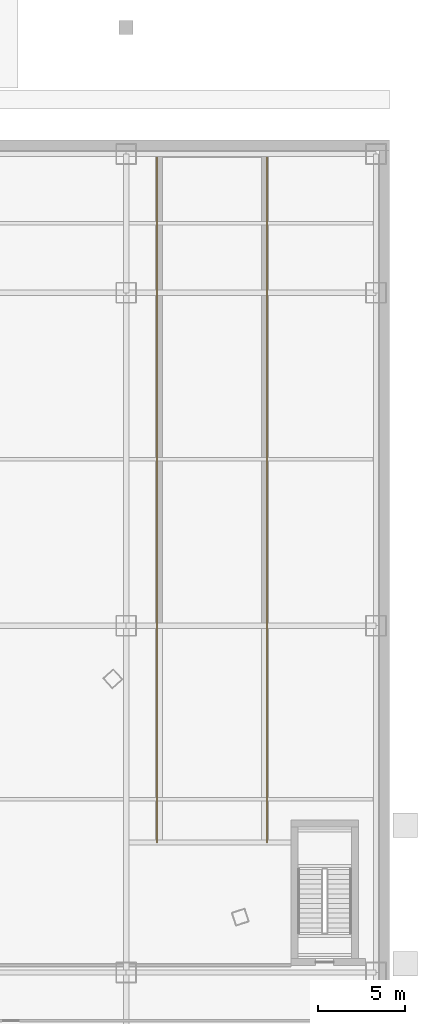
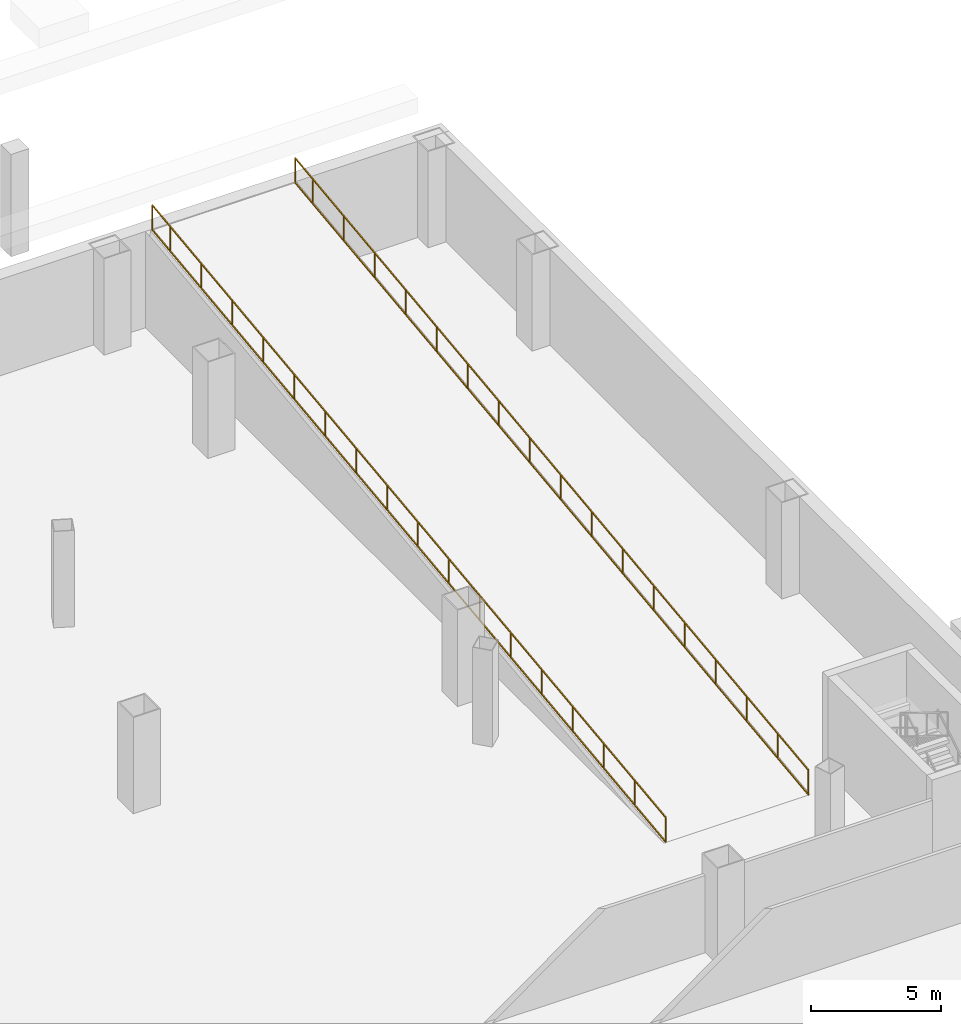
# One storey, part 16 of 16: 2 railings.
"""IFC4 building model written with IfcOpenShell, lengths in metres."""

from ifc_helpers import new_model, si_unit, direction, frame, origin, origin_2d, place, context, subcontext, project, spatial, rectangle, extrude, material, type_object, element, save


model = new_model("IFC4")

# Units and contexts
model_context = context("Model", 3, precision=1e-05, world=origin(), true_north=direction((0.0, 1.0)))
body_context = subcontext(model_context, "Body", "Model", "MODEL_VIEW")
ifc_project = project(units=[si_unit("LENGTHUNIT", "METRE"), si_unit("AREAUNIT", "SQUARE_METRE"), si_unit("VOLUMEUNIT", "CUBIC_METRE"), si_unit("PLANEANGLEUNIT", "RADIAN"), si_unit("MASSUNIT", "GRAM", prefix="KILO"), si_unit("THERMODYNAMICTEMPERATUREUNIT", "KELVIN"), si_unit("POWERUNIT", "WATT")], contexts=[model_context])

# Site, building, storey
site_placement = place(None, origin())
site = spatial("IfcSite", under=ifc_project, at=site_placement, CompositionType="ELEMENT")
building_placement = place(site_placement, origin())
building = spatial("IfcBuilding", under=site, at=building_placement, Name="Yunzhuo Pagoda Commons", CompositionType="ELEMENT")
storey_placement = place(building_placement, frame((0.0, 0.0, -4.800048828125)))
storey = spatial("IfcBuildingStorey", under=building, at=storey_placement, Name="B01", CompositionType="ELEMENT", Elevation=-4.800048828125)

# Railings
ifc_material = material(Name="Anodized aluminium 6063-T6", Category="aluminium")
railing_type = type_object("IfcRailingType", Name="RL-RMP1 Interior Ramp Well Guardrail 1200", PredefinedType="GUARDRAIL", material=ifc_material)
railing_1_placement = place(storey_placement, frame((78.580078125, 49.5, 0.0)))
element("IfcRailing", 1, at=railing_1_placement, inside=storey, type_object=railing_type, Name="Car park vehicle ramp SL-RMP1 guardrail W", PredefinedType="GUARDRAIL", context=body_context, shape_type="SweptSolid", body=[
    extrude(rectangle(XDim=0.048095703125, YDim=0.048095703125, at=origin_2d()), frame((0.0, 0.0, 1.17578125), z_axis=(0.0, 0.992697200074, 0.120632785618), x_axis=(-1.0, 0.0, 0.0)), (0.0, 0.0, 1.0), 39.79052734375),
    extrude(rectangle(XDim=0.048095703125, YDim=0.048095703125, at=origin_2d()), frame((0.0, 0.0, 0.02392578125), z_axis=(0.0, 0.992697200074, 0.120632785618), x_axis=(-1.0, 0.0, 0.0)), (0.0, 0.0, 1.0), 39.79052734375),
    extrude(rectangle(XDim=0.0419921875, YDim=0.0419921875, at=origin_2d()), origin(), (0.0, 0.0, 1.0), 1.15185546875),
    extrude(rectangle(XDim=0.0419921875, YDim=0.0419921875, at=origin_2d()), frame((0.0, 2.382568359375, 0.28955078125)), (0.0, 0.0, 1.0), 1.15185546875),
    extrude(rectangle(XDim=0.0419921875, YDim=0.0419921875, at=origin_2d()), frame((0.0, 4.764892578125, 0.5791015625)), (0.0, 0.0, 1.0), 1.15185546875),
    extrude(rectangle(XDim=0.0419921875, YDim=0.0419921875, at=origin_2d()), frame((0.0, 7.1474609375, 0.86865234375)), (0.0, 0.0, 1.0), 1.15185546875),
    extrude(rectangle(XDim=0.0419921875, YDim=0.0419921875, at=origin_2d()), frame((0.0, 9.52978515625, 1.157958984375)), (0.0, 0.0, 1.0), 1.15185546875),
    extrude(rectangle(XDim=0.0419921875, YDim=0.0419921875, at=origin_2d()), frame((0.0, 11.912353515625, 1.447509765625)), (0.0, 0.0, 1.0), 1.15185546875),
    extrude(rectangle(XDim=0.0419921875, YDim=0.0419921875, at=origin_2d()), frame((0.0, 14.294921875, 1.737060546875)), (0.0, 0.0, 1.0), 1.15185546875),
    extrude(rectangle(XDim=0.0419921875, YDim=0.0419921875, at=origin_2d()), frame((0.0, 16.67724609375, 2.026611328125)), (0.0, 0.0, 1.0), 1.15185546875),
    extrude(rectangle(XDim=0.0419921875, YDim=0.0419921875, at=origin_2d()), frame((0.0, 19.059814453125, 2.316162109375)), (0.0, 0.0, 1.0), 1.15185546875),
    extrude(rectangle(XDim=0.0419921875, YDim=0.0419921875, at=origin_2d()), frame((0.0, 21.442138671875, 2.605712890625)), (0.0, 0.0, 1.0), 1.15185546875),
    extrude(rectangle(XDim=0.0419921875, YDim=0.0419921875, at=origin_2d()), frame((0.0, 23.82470703125, 2.895263671875)), (0.0, 0.0, 1.0), 1.15185546875),
    extrude(rectangle(XDim=0.0419921875, YDim=0.0419921875, at=origin_2d()), frame((0.0, 26.207275390625, 3.184814453125)), (0.0, 0.0, 1.0), 1.15185546875),
    extrude(rectangle(XDim=0.0419921875, YDim=0.0419921875, at=origin_2d()), frame((0.0, 28.589599609375, 3.47412109375)), (0.0, 0.0, 1.0), 1.15185546875),
    extrude(rectangle(XDim=0.0419921875, YDim=0.0419921875, at=origin_2d()), frame((0.0, 30.97216796875, 3.763671875)), (0.0, 0.0, 1.0), 1.15185546875),
    extrude(rectangle(XDim=0.0419921875, YDim=0.0419921875, at=origin_2d()), frame((0.0, 33.354736328125, 4.05322265625)), (0.0, 0.0, 1.0), 1.15185546875),
    extrude(rectangle(XDim=0.0419921875, YDim=0.0419921875, at=origin_2d()), frame((0.0, 35.737060546875, 4.3427734375)), (0.0, 0.0, 1.0), 1.15185546875),
    extrude(rectangle(XDim=0.0419921875, YDim=0.0419921875, at=origin_2d()), frame((0.0, 38.11962890625, 4.63232421875)), (0.0, 0.0, 1.0), 1.15185546875),
    extrude(rectangle(XDim=0.0419921875, YDim=0.0419921875, at=origin_2d()), frame((0.0, 39.5, 4.800048828125)), (0.0, 0.0, 1.0), 1.15185546875),
])
railing_2_placement = place(storey_placement, frame((84.919921875, 49.5, 0.0)))
element("IfcRailing", 2, at=railing_2_placement, inside=storey, type_object=railing_type, Name="Car park vehicle ramp SL-RMP1 guardrail E", PredefinedType="GUARDRAIL", context=body_context, shape_type="SweptSolid", body=[
    extrude(rectangle(XDim=0.048095703125, YDim=0.048095703125, at=origin_2d()), frame((0.0, 0.0, 1.17578125), z_axis=(0.0, 0.992697200074, 0.120632785618), x_axis=(-1.0, 0.0, 0.0)), (0.0, 0.0, 1.0), 39.79052734375),
    extrude(rectangle(XDim=0.048095703125, YDim=0.048095703125, at=origin_2d()), frame((0.0, 0.0, 0.02392578125), z_axis=(0.0, 0.992697200074, 0.120632785618), x_axis=(-1.0, 0.0, 0.0)), (0.0, 0.0, 1.0), 39.79052734375),
    extrude(rectangle(XDim=0.0419921875, YDim=0.0419921875, at=origin_2d()), origin(), (0.0, 0.0, 1.0), 1.15185546875),
    extrude(rectangle(XDim=0.0419921875, YDim=0.0419921875, at=origin_2d()), frame((0.0, 2.382568359375, 0.28955078125)), (0.0, 0.0, 1.0), 1.15185546875),
    extrude(rectangle(XDim=0.0419921875, YDim=0.0419921875, at=origin_2d()), frame((0.0, 4.764892578125, 0.5791015625)), (0.0, 0.0, 1.0), 1.15185546875),
    extrude(rectangle(XDim=0.0419921875, YDim=0.0419921875, at=origin_2d()), frame((0.0, 7.1474609375, 0.86865234375)), (0.0, 0.0, 1.0), 1.15185546875),
    extrude(rectangle(XDim=0.0419921875, YDim=0.0419921875, at=origin_2d()), frame((0.0, 9.52978515625, 1.157958984375)), (0.0, 0.0, 1.0), 1.15185546875),
    extrude(rectangle(XDim=0.0419921875, YDim=0.0419921875, at=origin_2d()), frame((0.0, 11.912353515625, 1.447509765625)), (0.0, 0.0, 1.0), 1.15185546875),
    extrude(rectangle(XDim=0.0419921875, YDim=0.0419921875, at=origin_2d()), frame((0.0, 14.294921875, 1.737060546875)), (0.0, 0.0, 1.0), 1.15185546875),
    extrude(rectangle(XDim=0.0419921875, YDim=0.0419921875, at=origin_2d()), frame((0.0, 16.67724609375, 2.026611328125)), (0.0, 0.0, 1.0), 1.15185546875),
    extrude(rectangle(XDim=0.0419921875, YDim=0.0419921875, at=origin_2d()), frame((0.0, 19.059814453125, 2.316162109375)), (0.0, 0.0, 1.0), 1.15185546875),
    extrude(rectangle(XDim=0.0419921875, YDim=0.0419921875, at=origin_2d()), frame((0.0, 21.442138671875, 2.605712890625)), (0.0, 0.0, 1.0), 1.15185546875),
    extrude(rectangle(XDim=0.0419921875, YDim=0.0419921875, at=origin_2d()), frame((0.0, 23.82470703125, 2.895263671875)), (0.0, 0.0, 1.0), 1.15185546875),
    extrude(rectangle(XDim=0.0419921875, YDim=0.0419921875, at=origin_2d()), frame((0.0, 26.207275390625, 3.184814453125)), (0.0, 0.0, 1.0), 1.15185546875),
    extrude(rectangle(XDim=0.0419921875, YDim=0.0419921875, at=origin_2d()), frame((0.0, 28.589599609375, 3.47412109375)), (0.0, 0.0, 1.0), 1.15185546875),
    extrude(rectangle(XDim=0.0419921875, YDim=0.0419921875, at=origin_2d()), frame((0.0, 30.97216796875, 3.763671875)), (0.0, 0.0, 1.0), 1.15185546875),
    extrude(rectangle(XDim=0.0419921875, YDim=0.0419921875, at=origin_2d()), frame((0.0, 33.354736328125, 4.05322265625)), (0.0, 0.0, 1.0), 1.15185546875),
    extrude(rectangle(XDim=0.0419921875, YDim=0.0419921875, at=origin_2d()), frame((0.0, 35.737060546875, 4.3427734375)), (0.0, 0.0, 1.0), 1.15185546875),
    extrude(rectangle(XDim=0.0419921875, YDim=0.0419921875, at=origin_2d()), frame((0.0, 38.11962890625, 4.63232421875)), (0.0, 0.0, 1.0), 1.15185546875),
    extrude(rectangle(XDim=0.0419921875, YDim=0.0419921875, at=origin_2d()), frame((0.0, 39.5, 4.800048828125)), (0.0, 0.0, 1.0), 1.15185546875),
])

save(model, "model.ifc")
